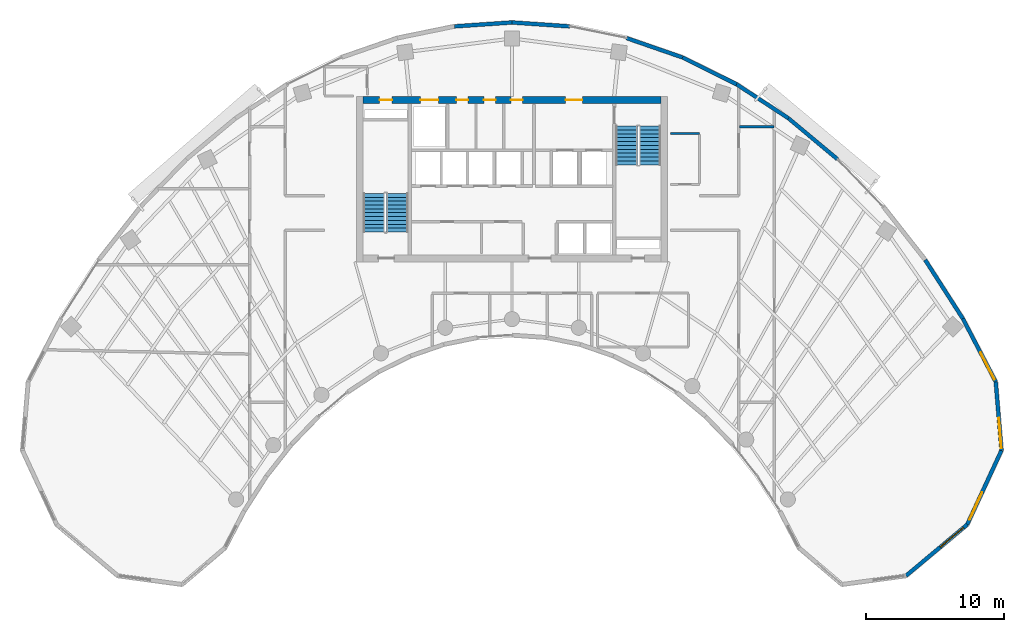
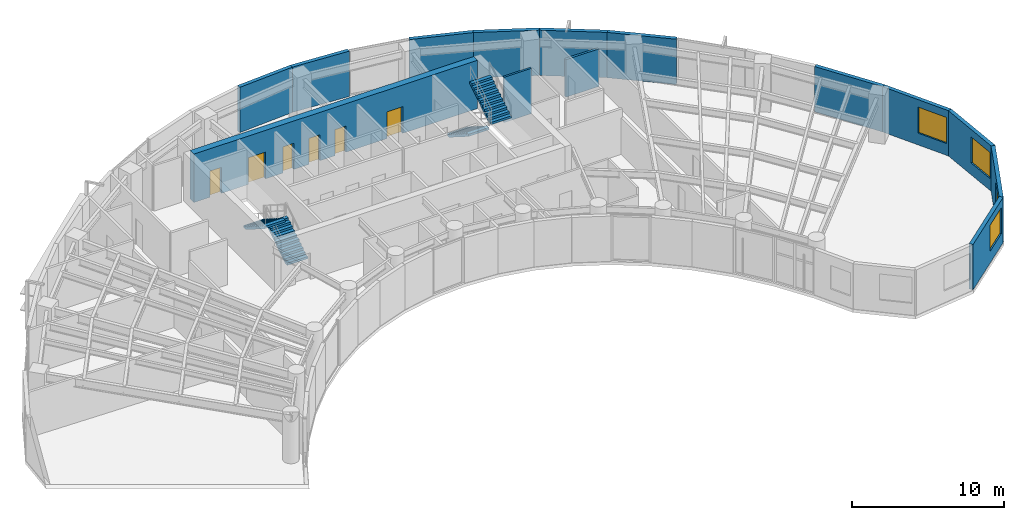
# One storey, part 10 of 13: 14 walls, 6 doors, 4 stair flights, 4 windows, 10 openings, 2 elements without a shape of their own.
"""IFC4 building model written with IfcOpenShell, lengths in metres."""

import ifcopenshell
import ifcopenshell.guid

model = None  # the IFC model being written
_history = None  # IfcOwnerHistory: only IFC2X3 demands one
_inside = {}  # id of a spatial element -> (the spatial element, [elements in it])
_under = {}  # id of a project, library or spatial element -> (it, [spatial elements below it])
_declared = {}  # id of a project -> (the project, [libraries it declares])
_typed = {}  # id of a type object -> (the type object, [elements of that type])
_made_of = {}  # id of a material, layer set ... -> (it, [elements and type objects made of it])


def new_model(schema):
    """Start an empty IFC model of exactly this schema.

    Asked for "IFC4X3", IfcOpenShell would pick the latest addendum, in which some entities
    have other attributes; the version numbers below select the first issue.
    IFC2X3 requires an IfcOwnerHistory on every rooted entity: one is made here for all.
    """
    global model, _history
    if schema == "IFC4X3":
        model = ifcopenshell.file(schema_version=(4, 3, 0, 0))
    else:
        model = ifcopenshell.file(schema=schema)
    _inside.clear()
    _under.clear()
    _declared.clear()
    _typed.clear()
    _made_of.clear()
    _history = None
    if model.schema == "IFC2X3":
        org = make("IfcOrganization", Name="unknown")
        user = make(
            "IfcPersonAndOrganization",
            ThePerson=make("IfcPerson", FamilyName="unknown"),
            TheOrganization=org,
        )
        app = make(
            "IfcApplication",
            ApplicationDeveloper=org,
            Version="unknown",
            ApplicationFullName="unknown",
            ApplicationIdentifier="unknown",
        )
        _history = make(
            "IfcOwnerHistory",
            OwningUser=user,
            OwningApplication=app,
            ChangeAction="ADDED",
            CreationDate=0,
        )
    return model


def make(cls, **values):
    """One entity of the class cls with the attributes given. An attribute that is None is left unset."""
    return model.create_entity(
        cls, **{name: value for name, value in values.items() if value is not None}
    )


def rooted(cls, **values):
    """An entity with a GlobalId (a new one), such as an element, a storey or a relation."""
    return make(cls, GlobalId=ifcopenshell.guid.new(), OwnerHistory=_history, **values)


def si_unit(unit_type, name, prefix=None):
    """IfcSIUnit, for example si_unit("LENGTHUNIT", "METRE", prefix="MILLI")."""
    return make("IfcSIUnit", UnitType=unit_type, Prefix=prefix, Name=name)


def assignment(units):
    """IfcUnitAssignment: the units of a project."""
    return None if units is None else make("IfcUnitAssignment", Units=units)


def point(xyz):
    """IfcCartesianPoint."""
    return None if xyz is None else make("IfcCartesianPoint", Coordinates=xyz)


def direction(xyz):
    """IfcDirection."""
    return None if xyz is None else make("IfcDirection", DirectionRatios=xyz)


def frame(location, z_axis=None, x_axis=None):
    """IfcAxis2Placement3D, a coordinate frame: its origin and axes. An axis left out is left unset."""
    return make(
        "IfcAxis2Placement3D",
        Location=point(location),
        Axis=direction(z_axis),
        RefDirection=direction(x_axis),
    )


def frame_2d(location, x_axis=None):
    """IfcAxis2Placement2D, a coordinate frame in the plane: its origin and x axis."""
    return make(
        "IfcAxis2Placement2D", Location=point(location), RefDirection=direction(x_axis)
    )


def origin():
    """The frame at (0, 0, 0) with its axes left unset."""
    return frame((0.0, 0.0, 0.0))


def place(relative_to, where):
    """IfcLocalPlacement: puts the frame where relative to a parent placement (None: the world)."""
    return make(
        "IfcLocalPlacement", PlacementRelTo=relative_to, RelativePlacement=where
    )


def context(
    kind, dimensions, precision=None, world=None, true_north=None, identifier=None
):
    """IfcGeometricRepresentationContext, for example the 3D "Model" context."""
    return make(
        "IfcGeometricRepresentationContext",
        ContextIdentifier=identifier,
        ContextType=kind,
        CoordinateSpaceDimension=dimensions,
        Precision=precision,
        WorldCoordinateSystem=world,
        TrueNorth=true_north,
    )


def subcontext(parent, identifier, kind, view, scale=None):
    """IfcGeometricRepresentationSubContext, for example "Body" below "Model"."""
    return make(
        "IfcGeometricRepresentationSubContext",
        ContextIdentifier=identifier,
        ContextType=kind,
        ParentContext=parent,
        TargetScale=scale,
        TargetView=view,
    )


def project(units=None, contexts=None):
    """IfcProject with its units and contexts."""
    return rooted(
        "IfcProject",
        Name="project",
        RepresentationContexts=contexts,
        UnitsInContext=assignment(units),
    )


def spatial(cls, under=None, at=None, **own):
    """A site, building, storey or space (cls), placed at a placement, below another one or the project."""
    s = rooted(cls, ObjectPlacement=at, **own)
    if under is not None:
        _under.setdefault(under.id(), (under, []))[1].append(s)
    return s


def polyline(points):
    """IfcPolyline through the points."""
    return make("IfcPolyline", Points=[point(p) for p in points])


def profile(cls, at=None, kind="AREA", **sizes):
    """A parametric profile (cls). Its sizes go by their IFC names, for example OverallWidth=200.0."""
    return make(cls, ProfileType=kind, Position=at, **sizes)


def rectangle(**sizes):
    """IfcRectangleProfileDef."""
    return profile("IfcRectangleProfileDef", **sizes)


def outline(outer, holes=None, kind="AREA"):
    """IfcArbitraryClosedProfileDef: a profile drawn as a closed curve; with holes, ...WithVoids."""
    if holes is None:
        return make("IfcArbitraryClosedProfileDef", ProfileType=kind, OuterCurve=outer)
    return make(
        "IfcArbitraryProfileDefWithVoids",
        ProfileType=kind,
        OuterCurve=outer,
        InnerCurves=holes,
    )


def extrude(swept, where, along, depth):
    """IfcExtrudedAreaSolid: the profile swept, set in the frame where, extruded along a direction by depth."""
    return make(
        "IfcExtrudedAreaSolid",
        SweptArea=swept,
        Position=where,
        ExtrudedDirection=direction(along),
        Depth=depth,
    )


def shape(context_of_items, identifier, shape_type, items):
    """IfcShapeRepresentation: the items that make up one representation, for example the "Body"."""
    return make(
        "IfcShapeRepresentation",
        ContextOfItems=context_of_items,
        RepresentationIdentifier=identifier,
        RepresentationType=shape_type,
        Items=items,
    )


def source(mapping_origin, context_of_items, identifier, shape_type, items):
    """IfcRepresentationMap: a shape defined once, which mapped items show again and again."""
    return make(
        "IfcRepresentationMap",
        MappingOrigin=mapping_origin,
        MappedRepresentation=shape(context_of_items, identifier, shape_type, items),
    )


def transform(
    local_origin,
    x_axis=None,
    y_axis=None,
    z_axis=None,
    scale=None,
    scale2=None,
    scale3=None,
    uniform=True,
):
    """IfcCartesianTransformationOperator3D, or its non-uniform kind. x_axis, y_axis, z_axis: its Axis1, 2, 3."""
    if uniform:
        return make(
            "IfcCartesianTransformationOperator3D",
            Axis1=direction(x_axis),
            Axis2=direction(y_axis),
            LocalOrigin=point(local_origin),
            Scale=scale,
            Axis3=direction(z_axis),
        )
    return make(
        "IfcCartesianTransformationOperator3DnonUniform",
        Axis1=direction(x_axis),
        Axis2=direction(y_axis),
        LocalOrigin=point(local_origin),
        Scale=scale,
        Axis3=direction(z_axis),
        Scale2=scale2,
        Scale3=scale3,
    )


def mapped(mapping_source, mapping_target):
    """IfcMappedItem: shows the shape of a source again, moved by a transform."""
    return make(
        "IfcMappedItem", MappingSource=mapping_source, MappingTarget=mapping_target
    )


def material(Name=None, Category=None):
    """IfcMaterial."""
    return make("IfcMaterial", Name=Name, Category=Category)


def layer(
    of_material, thickness, ventilated=None, Name=None, Category=None, Priority=None
):
    """IfcMaterialLayer: one layer of a wall or slab, of a material (None: an air gap)."""
    return make(
        "IfcMaterialLayer",
        Material=of_material,
        LayerThickness=thickness,
        IsVentilated=ventilated,
        Name=Name,
        Category=Category,
        Priority=Priority,
    )


def layer_set(layers, Name=None):
    """IfcMaterialLayerSet."""
    return make("IfcMaterialLayerSet", MaterialLayers=layers, LayerSetName=Name)


def made_of(thing, what):
    """Note that an element or type object is made of a material, layer set ...; save() writes the relation."""
    if what is not None:
        _made_of.setdefault(what.id(), (what, []))[1].append(thing)
    return thing


def type_object(cls, material=None, **own):
    """A type object (cls), such as IfcWallType, which elements share."""
    return made_of(rooted(cls, **own), material)


def type_shapes(of_type, sources):
    """Give a type object the sources (RepresentationMaps) that its elements show as mapped items."""
    of_type.RepresentationMaps = sources


def element(
    cls,
    number,
    at=None,
    inside=None,
    cuts=None,
    type_object=None,
    material=None,
    context=None,
    identifier="Body",
    shape_type=None,
    held_by="IfcProductDefinitionShape",
    body=None,
    shapes=None,
    **own,
):
    """One element of the class cls, such as IfcWall. Its Tag is "e" and its number.

    at: its placement. inside: the storey or other place that contains it. cuts: it is an
    opening in that element (IfcRelVoidsElement). A single representation is given by context,
    identifier, shape_type and body (its items); several are given by shapes. held_by: the class
    of the entity that holds the representations. save() writes the other relations.
    """
    e = rooted(cls, Tag="e%d" % number, ObjectPlacement=at, **own)
    if body is not None:
        shapes = [shape(context, identifier, shape_type, body)]
    if shapes is not None:
        e.Representation = make(held_by, Representations=shapes)
    if inside is not None:
        _inside.setdefault(inside.id(), (inside, []))[1].append(e)
    if cuts is not None:
        rooted(
            "IfcRelVoidsElement", RelatingBuildingElement=cuts, RelatedOpeningElement=e
        )
    if type_object is not None:
        _typed.setdefault(type_object.id(), (type_object, []))[1].append(e)
    return made_of(e, material)


def fill(opening, filler):
    """IfcRelFillsElement: the door or window that sits in an opening."""
    return rooted(
        "IfcRelFillsElement",
        RelatingOpeningElement=opening,
        RelatedBuildingElement=filler,
    )


def aggregate(whole, parts):
    """IfcRelAggregates: a whole, such as a stair, and the parts it consists of."""
    return rooted("IfcRelAggregates", RelatingObject=whole, RelatedObjects=parts)


def save(model, path):
    """Write the relations noted so far, then the file.

    IfcRelAggregates (storeys below a building ...), IfcRelContainedInSpatialStructure (elements
    in a storey), IfcRelDefinesByType, IfcRelAssociatesMaterial and IfcRelDeclares: one each for
    every whole, place, type object, material and project.
    """
    for whole, parts in _under.values():
        aggregate(whole, parts)
    for where, things in _inside.values():
        rooted(
            "IfcRelContainedInSpatialStructure",
            RelatedElements=things,
            RelatingStructure=where,
        )
    for kind, things in _typed.values():
        rooted("IfcRelDefinesByType", RelatedObjects=things, RelatingType=kind)
    for what, things in _made_of.values():
        rooted("IfcRelAssociatesMaterial", RelatedObjects=things, RelatingMaterial=what)
    for by, libraries in _declared.values():
        rooted("IfcRelDeclares", RelatingContext=by, RelatedDefinitions=libraries)
    model.write(path)


model = new_model("IFC4")

# Units and contexts
model_context = context("Model", 3, precision=1e-05, world=origin(), true_north=direction((0.0, 1.0)))
body_context = subcontext(model_context, "Body", "Model", "MODEL_VIEW")
ifc_project = project(units=[si_unit("LENGTHUNIT", "METRE"), si_unit("AREAUNIT", "SQUARE_METRE"), si_unit("VOLUMEUNIT", "CUBIC_METRE"), si_unit("PLANEANGLEUNIT", "RADIAN"), si_unit("MASSUNIT", "GRAM", prefix="KILO")], contexts=[model_context])

# Site, building, storey
site_placement = place(None, origin())
site = spatial("IfcSite", under=ifc_project, at=site_placement, CompositionType="ELEMENT")
building_placement = place(site_placement, origin())
building = spatial("IfcBuilding", under=site, at=building_placement, Name="Breltana Convention Tower", CompositionType="ELEMENT")
storey_placement = place(building_placement, frame((0.0, 0.0, 174.0)))
storey = spatial("IfcBuildingStorey", under=building, at=storey_placement, Name="L42", CompositionType="ELEMENT", Elevation=174.0)

# Wall, openings, doors
ifc_material_1 = material(Name="Concrete C60/75", Category="concrete")
ifc_layer_1 = layer(ifc_material_1, 0.5, Name="Concrete C60/75")
ifc_layer_set_1 = layer_set([ifc_layer_1], Name="Concrete C60/75")
wall_type_1 = type_object("IfcWallType", Name="SW-CORE-500", PredefinedType="SHEAR", material=ifc_layer_set_1)
shared_shape_1 = source(origin(), body_context, "Body", "SweptSolid", [
    extrude(rectangle(XDim=21.60009765625, YDim=0.5, at=frame_2d((10.800048828125, 0.0))), origin(), (0.0, 0.0, 1.0), 3.89990234375),
])
wall_1_placement = place(storey_placement, frame((37.199951171875, 71.949951171875, 0.0), z_axis=(0.0, 0.0, 1.0), x_axis=(1.0, 0.0, 0.0)))
wall_1 = element("IfcWall", 1, at=wall_1_placement, inside=storey, type_object=wall_type_1, Name="L42 North Core Shear Wall", PredefinedType="SHEAR", context=body_context, shape_type="MappedRepresentation", body=[
    mapped(shared_shape_1, transform((0.0, 0.0, 0.0), scale=1.0)),
])
opening_1_placement = place(wall_1_placement, frame((1.199951171875, 0.0, 0.0)))
opening_1 = element("IfcOpeningElement", 2, at=opening_1_placement, cuts=wall_1, Name="Opening D-18", PredefinedType="OPENING", context=body_context, shape_type="SweptSolid", body=[
    extrude(rectangle(XDim=0.89990234375, YDim=2.10009765625, at=frame_2d((0.449951171875, 1.050048828125))), frame((0.0, 0.260009765625, 0.0), z_axis=(0.0, -1.0, 0.0), x_axis=(1.0, 0.0, 0.0)), (0.0, 0.0, 1.0), 0.52001953125),
])
opening_2_placement = place(wall_1_placement, frame((14.699951171875, 0.0, 0.0)))
opening_2 = element("IfcOpeningElement", 3, at=opening_2_placement, cuts=wall_1, Name="Opening D-09", PredefinedType="OPENING", context=body_context, shape_type="SweptSolid", body=[
    extrude(rectangle(XDim=1.199951171875, YDim=2.14990234375, at=frame_2d((0.60009765625, 1.074951171875))), frame((0.0, 0.260009765625, 0.0), z_axis=(0.0, -1.0, 0.0), x_axis=(1.0, 0.0, 0.0)), (0.0, 0.0, 1.0), 0.52001953125),
])
opening_3_placement = place(wall_1_placement, frame((4.14990234375, 0.0, 0.0)))
opening_3 = element("IfcOpeningElement", 4, at=opening_3_placement, cuts=wall_1, Name="Opening LD-01", PredefinedType="OPENING", context=body_context, shape_type="SweptSolid", body=[
    extrude(rectangle(XDim=1.300048828125, YDim=2.14990234375, at=frame_2d((0.64990234375, 1.074951171875))), frame((0.0, 0.260009765625, 0.0), z_axis=(0.0, -1.0, 0.0), x_axis=(1.0, 0.0, 0.0)), (0.0, 0.0, 1.0), 0.52001953125),
])
opening_4_placement = place(wall_1_placement, frame((6.760009765625, 0.0, 0.0)))
opening_4 = element("IfcOpeningElement", 5, at=opening_4_placement, cuts=wall_1, Name="Opening D-20", PredefinedType="OPENING", context=body_context, shape_type="SweptSolid", body=[
    extrude(rectangle(XDim=0.85009765625, YDim=2.10009765625, at=frame_2d((0.425048828125, 1.050048828125))), frame((0.0, 0.260009765625, 0.0), z_axis=(0.0, -1.0, 0.0), x_axis=(1.0, 0.0, 0.0)), (0.0, 0.0, 1.0), 0.52001953125),
])
opening_5_placement = place(wall_1_placement, frame((8.760009765625, 0.0, 0.0)))
opening_5 = element("IfcOpeningElement", 6, at=opening_5_placement, cuts=wall_1, Name="Opening D-20", PredefinedType="OPENING", context=body_context, shape_type="SweptSolid", body=[
    extrude(rectangle(XDim=0.85009765625, YDim=2.10009765625, at=frame_2d((0.425048828125, 1.050048828125))), frame((0.0, 0.260009765625, 0.0), z_axis=(0.0, -1.0, 0.0), x_axis=(1.0, 0.0, 0.0)), (0.0, 0.0, 1.0), 0.52001953125),
])
opening_6_placement = place(wall_1_placement, frame((10.72509765625, 0.0, 0.0)))
opening_6 = element("IfcOpeningElement", 7, at=opening_6_placement, cuts=wall_1, Name="Opening D-20", PredefinedType="OPENING", context=body_context, shape_type="SweptSolid", body=[
    extrude(rectangle(XDim=0.85009765625, YDim=2.10009765625, at=frame_2d((0.425048828125, 1.050048828125))), frame((0.0, 0.260009765625, 0.0), z_axis=(0.0, -1.0, 0.0), x_axis=(1.0, 0.0, 0.0)), (0.0, 0.0, 1.0), 0.52001953125),
])
ifc_material_2 = material(Name="Steel Riser Fire Door", Category="steel")
door_type_1 = type_object("IfcDoorType", Name="DR-FD60-900", OperationType="NOTDEFINED", PredefinedType="DOOR", material=ifc_material_2)
shared_shape_2 = source(origin(), body_context, "Body", "SweptSolid", [
    extrude(rectangle(XDim=0.89990234375, YDim=2.10009765625, at=frame_2d((0.449951171875, 1.050048828125))), frame((0.0, 0.02490234375, 0.0), z_axis=(0.0, -1.0, 0.0), x_axis=(1.0, 0.0, 0.0)), (0.0, 0.0, 1.0), 0.050048828125),
])
type_shapes(door_type_1, [shared_shape_2])
door_1_placement = place(opening_1_placement, origin())
door_1 = element("IfcDoor", 8, at=door_1_placement, inside=storey, type_object=door_type_1, Name="L42 Core Riser Access Door D-L42-RS1", OperationType="SINGLE_SWING_LEFT", OverallHeight=2.10009765625, OverallWidth=0.89990234375, PredefinedType="DOOR", context=body_context, shape_type="MappedRepresentation", body=[
    mapped(shared_shape_2, transform((0.0, 0.0, 0.0), scale=1.0)),
])
fill(opening_1, door_1)
ifc_material_3 = material(Name="Steel Fire Lobby Door", Category="steel")
door_type_2 = type_object("IfcDoorType", Name="DR-FD120-1200", OperationType="NOTDEFINED", PredefinedType="DOOR", material=ifc_material_3)
shared_shape_3 = source(origin(), body_context, "Body", "SweptSolid", [
    extrude(rectangle(XDim=1.199951171875, YDim=2.14990234375, at=frame_2d((0.60009765625, 1.074951171875))), frame((0.0, 0.02490234375, 0.0), z_axis=(0.0, -1.0, 0.0), x_axis=(1.0, 0.0, 0.0)), (0.0, 0.0, 1.0), 0.050048828125),
])
type_shapes(door_type_2, [shared_shape_3])
door_2_placement = place(opening_2_placement, origin())
door_2 = element("IfcDoor", 9, at=door_2_placement, inside=storey, type_object=door_type_2, Name="L42 interior door D-L42-FFL-N", OperationType="SINGLE_SWING_RIGHT", OverallHeight=2.14990234375, OverallWidth=1.199951171875, PredefinedType="DOOR", context=body_context, shape_type="MappedRepresentation", body=[
    mapped(shared_shape_3, transform((0.0, 0.0, 0.0), scale=1.0)),
])
fill(opening_2, door_2)
ifc_material_4 = material(Name="Stainless Steel Brushed", Category="steel")
door_type_3 = type_object("IfcDoorType", Name="DR-LD-SRV-1300", OperationType="DOUBLE_DOOR_SLIDING", PredefinedType="DOOR", material=ifc_material_4)
shared_shape_4 = source(origin(), body_context, "Body", "SweptSolid", [
    extrude(rectangle(XDim=1.300048828125, YDim=2.14990234375, at=frame_2d((0.64990234375, 1.074951171875))), frame((0.0, 0.02490234375, 0.0), z_axis=(0.0, -1.0, 0.0), x_axis=(1.0, 0.0, 0.0)), (0.0, 0.0, 1.0), 0.050048828125),
])
type_shapes(door_type_3, [shared_shape_4])
door_3_placement = place(opening_3_placement, origin())
door_3 = element("IfcDoor", 10, at=door_3_placement, inside=storey, type_object=door_type_3, Name="L42 Lift Landing Door D-L42-LD-SV1", OperationType="DOUBLE_DOOR_SLIDING", OverallHeight=2.14990234375, OverallWidth=1.300048828125, PredefinedType="DOOR", context=body_context, shape_type="MappedRepresentation", body=[
    mapped(shared_shape_4, transform((0.0, 0.0, 0.0), scale=1.0)),
])
fill(opening_3, door_3)
ifc_material_5 = material(Name="Steel Closet Fire Door", Category="steel")
door_type_4 = type_object("IfcDoorType", Name="DR-FD60-850", OperationType="NOTDEFINED", PredefinedType="DOOR", material=ifc_material_5)
shared_shape_5 = source(origin(), body_context, "Body", "SweptSolid", [
    extrude(rectangle(XDim=0.85009765625, YDim=2.10009765625, at=frame_2d((0.425048828125, 1.050048828125))), frame((0.0, 0.02490234375, 0.0), z_axis=(0.0, -1.0, 0.0), x_axis=(1.0, 0.0, 0.0)), (0.0, 0.0, 1.0), 0.050048828125),
])
type_shapes(door_type_4, [shared_shape_5])
door_4_placement = place(opening_4_placement, origin())
door_4 = element("IfcDoor", 11, at=door_4_placement, inside=storey, type_object=door_type_4, Name="L42 interior door D-L42-CRA1", OperationType="SINGLE_SWING_RIGHT", OverallHeight=2.10009765625, OverallWidth=0.85009765625, PredefinedType="DOOR", context=body_context, shape_type="MappedRepresentation", body=[
    mapped(shared_shape_5, transform((0.0, 0.0, 0.0), scale=1.0)),
])
fill(opening_4, door_4)
door_5_placement = place(opening_5_placement, origin())
door_5 = element("IfcDoor", 12, at=door_5_placement, inside=storey, type_object=door_type_4, Name="L42 interior door D-L42-CRA2", OperationType="SINGLE_SWING_LEFT", OverallHeight=2.10009765625, OverallWidth=0.85009765625, PredefinedType="DOOR", context=body_context, shape_type="MappedRepresentation", body=[
    mapped(shared_shape_5, transform((0.0, 0.0, 0.0), scale=1.0)),
])
fill(opening_5, door_5)
door_6_placement = place(opening_6_placement, origin())
door_6 = element("IfcDoor", 13, at=door_6_placement, inside=storey, type_object=door_type_4, Name="L42 interior door D-L42-CRA3", OperationType="SINGLE_SWING_RIGHT", OverallHeight=2.10009765625, OverallWidth=0.85009765625, PredefinedType="DOOR", context=body_context, shape_type="MappedRepresentation", body=[
    mapped(shared_shape_5, transform((0.0, 0.0, 0.0), scale=1.0)),
])
fill(opening_6, door_6)

# Wall, opening, window
ifc_material_6 = material(Name="Limestone Buff Insulated Wall", Category="masonry")
ifc_layer_2 = layer(ifc_material_6, 0.280029296875, Name="Limestone Buff Insulated Wall")
ifc_layer_set_2 = layer_set([ifc_layer_2], Name="Limestone Buff Insulated Wall")
wall_type_2 = type_object("IfcWallType", Name="WL-EXT-NOSE-280", PredefinedType="SOLIDWALL", material=ifc_layer_set_2)
shared_shape_6 = source(origin(), body_context, "Body", "SweptSolid", [
    extrude(rectangle(XDim=4.994384765625, YDim=0.280029296875, at=frame_2d((2.4970703125, 0.0))), origin(), (0.0, 0.0, 1.0), 3.64990234375),
])
wall_2_placement = place(storey_placement, frame((83.102294921875, 51.48876953125, 0.0), z_axis=(0.0, 0.0, 1.0), x_axis=(0.083344839916, -0.996520766296, 0.0)))
wall_2 = element("IfcWall", 14, at=wall_2_placement, inside=storey, type_object=wall_type_2, Name="L42 curved limestone nose wall E1", PredefinedType="SOLIDWALL", context=body_context, shape_type="MappedRepresentation", body=[
    mapped(shared_shape_6, transform((0.0, 0.0, 0.0), scale=1.0)),
])
opening_7_placement = place(wall_2_placement, frame((2.634521484375, 0.0, 0.949951171875)))
opening_7 = element("IfcOpeningElement", 15, at=opening_7_placement, cuts=wall_2, Name="Opening W-03", PredefinedType="OPENING", context=body_context, shape_type="SweptSolid", body=[
    extrude(rectangle(XDim=2.199951171875, YDim=2.10009765625, at=frame_2d((1.10009765625, 1.050048828125))), frame((0.0, 0.14990234375, 0.0), z_axis=(0.0, -1.0, 0.0), x_axis=(1.0, 0.0, 0.0)), (0.0, 0.0, 1.0), 0.300048828125),
])
ifc_material_7 = material(Name="Glass Low-E Insulated Window", Category="glass")
window_type = type_object("IfcWindowType", Name="WN-NOSE-2200X2100", PartitioningType="TRIPLE_PANEL_VERTICAL", PredefinedType="WINDOW", material=ifc_material_7)
shared_shape_7 = source(origin(), body_context, "Body", "SweptSolid", [
    extrude(rectangle(XDim=2.199951171875, YDim=2.10009765625, at=frame_2d((1.10009765625, 1.050048828125))), frame((0.0, 0.030029296875, 0.0), z_axis=(0.0, -1.0, 0.0), x_axis=(1.0, 0.0, 0.0)), (0.0, 0.0, 1.0), 0.06005859375),
])
type_shapes(window_type, [shared_shape_7])
window_1_placement = place(opening_7_placement, origin())
window_1 = element("IfcWindow", 16, at=window_1_placement, inside=storey, type_object=window_type, Name="L42 nose window E1", OverallHeight=2.10009765625, OverallWidth=2.199951171875, PartitioningType="TRIPLE_PANEL_VERTICAL", PredefinedType="WINDOW", context=body_context, shape_type="MappedRepresentation", body=[
    mapped(shared_shape_7, transform((0.0, 0.0, 0.0), scale=1.0)),
])
fill(opening_7, window_1)

shared_shape_8 = source(origin(), body_context, "Body", "SweptSolid", [
    extrude(rectangle(XDim=5.927490234375, YDim=0.280029296875, at=frame_2d((2.9638671875, 0.0))), origin(), (0.0, 0.0, 1.0), 3.64990234375),
])
wall_3_placement = place(storey_placement, frame((83.5185546875, 46.51171875, 0.0), z_axis=(0.0, 0.0, 1.0), x_axis=(-0.419656204795, -0.907683132914, 0.0)))
wall_3 = element("IfcWall", 17, at=wall_3_placement, inside=storey, type_object=wall_type_2, Name="L42 curved limestone nose wall E2", PredefinedType="SOLIDWALL", context=body_context, shape_type="MappedRepresentation", body=[
    mapped(shared_shape_8, transform((0.0, 0.0, 0.0), scale=1.0)),
])
opening_8_placement = place(wall_3_placement, frame((3.345703125, 0.0, 0.949951171875)))
opening_8 = element("IfcOpeningElement", 18, at=opening_8_placement, cuts=wall_3, Name="Opening W-03", PredefinedType="OPENING", context=body_context, shape_type="SweptSolid", body=[
    extrude(rectangle(XDim=2.199951171875, YDim=2.10009765625, at=frame_2d((1.10009765625, 1.050048828125))), frame((0.0, 0.14990234375, 0.0), z_axis=(0.0, -1.0, 0.0), x_axis=(1.0, 0.0, 0.0)), (0.0, 0.0, 1.0), 0.300048828125),
])
window_2_placement = place(opening_8_placement, origin())
window_2 = element("IfcWindow", 19, at=window_2_placement, inside=storey, type_object=window_type, Name="L42 nose window E2", OverallHeight=2.10009765625, OverallWidth=2.199951171875, PartitioningType="TRIPLE_PANEL_VERTICAL", PredefinedType="WINDOW", context=body_context, shape_type="MappedRepresentation", body=[
    mapped(shared_shape_7, transform((0.0, 0.0, 0.0), scale=1.0)),
])
fill(opening_8, window_2)

shared_shape_9 = source(origin(), body_context, "Body", "SweptSolid", [
    extrude(rectangle(XDim=5.786376953125, YDim=0.280029296875, at=frame_2d((2.89306640625, 0.0))), origin(), (0.0, 0.0, 1.0), 3.64990234375),
])
wall_4_placement = place(storey_placement, frame((81.031005859375, 41.13134765625, 0.0), z_axis=(0.0, 0.0, 1.0), x_axis=(-0.766711306852, -0.641992034176, 0.0)))
wall_4 = element("IfcWall", 20, at=wall_4_placement, inside=storey, type_object=wall_type_2, Name="L42 curved limestone nose wall E3", PredefinedType="SOLIDWALL", context=body_context, shape_type="MappedRepresentation", body=[
    mapped(shared_shape_9, transform((0.0, 0.0, 0.0), scale=1.0)),
])
opening_9_placement = place(wall_4_placement, frame((0.3466796875, 0.0, 0.949951171875)))
opening_9 = element("IfcOpeningElement", 21, at=opening_9_placement, cuts=wall_4, Name="Opening W-03", PredefinedType="OPENING", context=body_context, shape_type="SweptSolid", body=[
    extrude(rectangle(XDim=2.199951171875, YDim=2.10009765625, at=frame_2d((1.10009765625, 1.050048828125))), frame((0.0, 0.14990234375, 0.0), z_axis=(0.0, -1.0, 0.0), x_axis=(1.0, 0.0, 0.0)), (0.0, 0.0, 1.0), 0.300048828125),
])
window_3_placement = place(opening_9_placement, origin())
window_3 = element("IfcWindow", 22, at=window_3_placement, inside=storey, type_object=window_type, Name="L42 nose window E3", OverallHeight=2.10009765625, OverallWidth=2.199951171875, PartitioningType="TRIPLE_PANEL_VERTICAL", PredefinedType="WINDOW", context=body_context, shape_type="MappedRepresentation", body=[
    mapped(shared_shape_7, transform((0.0, 0.0, 0.0), scale=1.0)),
])
fill(opening_9, window_3)

shared_shape_10 = source(origin(), body_context, "Body", "SweptSolid", [
    extrude(rectangle(XDim=5.1708984375, YDim=0.280029296875, at=frame_2d((2.58544921875, 0.0))), origin(), (0.0, 0.0, 1.0), 3.64990234375),
])
wall_5_placement = place(storey_placement, frame((80.714599609375, 56.075439453125, 0.0), z_axis=(0.0, 0.0, 1.0), x_axis=(0.461752581363, -0.887008767491, 0.0)))
wall_5 = element("IfcWall", 23, at=wall_5_placement, inside=storey, type_object=wall_type_2, Name="L42 curved limestone nose wall E34", PredefinedType="SOLIDWALL", context=body_context, shape_type="MappedRepresentation", body=[
    mapped(shared_shape_10, transform((0.0, 0.0, 0.0), scale=1.0)),
])
opening_10_placement = place(wall_5_placement, frame((2.7783203125, 0.0, 0.949951171875)))
opening_10 = element("IfcOpeningElement", 24, at=opening_10_placement, cuts=wall_5, Name="Opening W-03", PredefinedType="OPENING", context=body_context, shape_type="SweptSolid", body=[
    extrude(rectangle(XDim=2.199951171875, YDim=2.10009765625, at=frame_2d((1.10009765625, 1.050048828125))), frame((0.0, 0.14990234375, 0.0), z_axis=(0.0, -1.0, 0.0), x_axis=(1.0, 0.0, 0.0)), (0.0, 0.0, 1.0), 0.300048828125),
])
window_4_placement = place(opening_10_placement, origin())
window_4 = element("IfcWindow", 25, at=window_4_placement, inside=storey, type_object=window_type, Name="L42 nose window E34", OverallHeight=2.10009765625, OverallWidth=2.199951171875, PartitioningType="TRIPLE_PANEL_VERTICAL", PredefinedType="WINDOW", context=body_context, shape_type="MappedRepresentation", body=[
    mapped(shared_shape_7, transform((0.0, 0.0, 0.0), scale=1.0)),
])
fill(opening_10, window_4)

# Walls
shared_shape_11 = source(origin(), body_context, "Body", "SweptSolid", [
    extrude(rectangle(XDim=4.633544921875, YDim=0.280029296875, at=frame_2d((2.31689453125, 0.0))), origin(), (0.0, 0.0, 1.0), 3.64990234375),
])
wall_6_placement = place(storey_placement, frame((68.060791015625, 70.610107421875, 0.0), z_axis=(0.0, 0.0, 1.0), x_axis=(0.767910229096, -0.640557475993, 0.0)))
element("IfcWall", 26, at=wall_6_placement, inside=storey, type_object=wall_type_2, Name="L42 curved limestone nose wall E31", PredefinedType="SOLIDWALL", context=body_context, shape_type="MappedRepresentation", body=[
    mapped(shared_shape_11, transform((0.0, 0.0, 0.0), scale=1.0)),
])
shared_shape_12 = source(origin(), body_context, "Body", "SweptSolid", [
    extrude(rectangle(XDim=4.500732421875, YDim=0.280029296875, at=frame_2d((2.25048828125, 0.0))), origin(), (0.0, 0.0, 1.0), 3.64990234375),
])
wall_7_placement = place(storey_placement, frame((64.29833984375, 73.079833984375, 0.0), z_axis=(0.0, 0.0, 1.0), x_axis=(0.835984920737, -0.548752414391, 0.0)))
element("IfcWall", 27, at=wall_7_placement, inside=storey, type_object=wall_type_2, Name="L42 curved limestone nose wall E30", PredefinedType="SOLIDWALL", context=body_context, shape_type="MappedRepresentation", body=[
    mapped(shared_shape_12, transform((0.0, 0.0, 0.0), scale=1.0)),
])
shared_shape_13 = source(origin(), body_context, "Body", "SweptSolid", [
    extrude(rectangle(XDim=4.289794921875, YDim=0.280029296875, at=frame_2d((2.14501953125, 0.0))), origin(), (0.0, 0.0, 1.0), 3.64990234375),
])
wall_8_placement = place(storey_placement, frame((56.31689453125, 76.431396484375, 0.0), z_axis=(0.0, 0.0, 1.0), x_axis=(0.944883859218, -0.3274057003, 0.0)))
element("IfcWall", 28, at=wall_8_placement, inside=storey, type_object=wall_type_2, Name="L42 curved limestone nose wall E28", PredefinedType="SOLIDWALL", context=body_context, shape_type="MappedRepresentation", body=[
    mapped(shared_shape_13, transform((0.0, 0.0, 0.0), scale=1.0)),
])
shared_shape_14 = source(origin(), body_context, "Body", "SweptSolid", [
    extrude(rectangle(XDim=4.189208984375, YDim=0.280029296875, at=frame_2d((2.0947265625, 0.0))), origin(), (0.0, 0.0, 1.0), 3.64990234375),
])
for number, where, z_axis, x_axis, name in (
    (29, (43.8203125, 77.27978515625, 0.0), (0.0, 0.0, 1.0), (0.997700560699, 0.067776036921, 0.0), "L42 curved limestone nose wall E26"),
    (30, (48.0, 77.563720703125, 0.0), (0.0, 0.0, 1.0), (0.997700560699, -0.067776036921, 0.0), "L42 curved limestone nose wall E27"),
):
    element("IfcWall", number, at=place(storey_placement, frame(where, z_axis=z_axis, x_axis=x_axis)), inside=storey, type_object=wall_type_2, Name=name, PredefinedType="SOLIDWALL", context=body_context, shape_type="MappedRepresentation", body=[
        mapped(shared_shape_14, transform((0.0, 0.0, 0.0), scale=1.0)),
    ])
shared_shape_15 = source(origin(), body_context, "Body", "SweptSolid", [
    extrude(rectangle(XDim=4.384033203125, YDim=0.280029296875, at=frame_2d((2.19189453125, 0.0))), origin(), (0.0, 0.0, 1.0), 3.64990234375),
])
wall_9_placement = place(storey_placement, frame((60.370361328125, 75.02685546875, 0.0), z_axis=(0.0, 0.0, 1.0), x_axis=(0.895969968053, -0.444114643248, 0.0)))
element("IfcWall", 31, at=wall_9_placement, inside=storey, type_object=wall_type_2, Name="L42 curved limestone nose wall E29", PredefinedType="SOLIDWALL", context=body_context, shape_type="MappedRepresentation", body=[
    mapped(shared_shape_15, transform((0.0, 0.0, 0.0), scale=1.0)),
])
shared_shape_16 = source(origin(), body_context, "Body", "SweptSolid", [
    extrude(rectangle(XDim=5.064697265625, YDim=0.280029296875, at=frame_2d((2.5322265625, 0.0))), origin(), (0.0, 0.0, 1.0), 3.64990234375),
])
wall_10_placement = place(storey_placement, frame((77.978759765625, 60.337646484375, 0.0), z_axis=(0.0, 0.0, 1.0), x_axis=(0.540177618806, -0.841551032404, 0.0)))
element("IfcWall", 32, at=wall_10_placement, inside=storey, type_object=wall_type_2, Name="L42 curved limestone nose wall E33", PredefinedType="SOLIDWALL", context=body_context, shape_type="MappedRepresentation", body=[
    mapped(shared_shape_16, transform((0.0, 0.0, 0.0), scale=1.0)),
])
ifc_material_8 = material(Name="Gypsum Acoustic Drywall Partition")
ifc_layer_3 = layer(ifc_material_8, 0.14990234375, Name="Gypsum Acoustic Drywall Partition")
ifc_layer_set_3 = layer_set([ifc_layer_3], Name="Gypsum Acoustic Drywall Partition")
wall_type_3 = type_object("IfcWallType", Name="WL-PART-150", PredefinedType="PARTITIONING", material=ifc_layer_set_3)
shared_shape_17 = source(origin(), body_context, "Body", "SweptSolid", [
    extrude(rectangle(XDim=2.10009765625, YDim=0.14990234375, at=frame_2d((1.050048828125, 0.0))), origin(), (0.0, 0.0, 1.0), 3.64990234375),
])
wall_11_placement = place(storey_placement, frame((59.5, 69.5, 0.0), z_axis=(0.0, 0.0, 1.0), x_axis=(1.0, 0.0, 0.0)))
element("IfcWall", 33, at=wall_11_placement, inside=storey, type_object=wall_type_3, Name="L42 interior partition W-L42-CRSE-N", PredefinedType="PARTITIONING", context=body_context, shape_type="MappedRepresentation", body=[
    mapped(shared_shape_17, transform((0.0, 0.0, 0.0), scale=1.0)),
])
ifc_material_9 = material(Name="Moisture-Resistant Gypsum Chase Wall")
ifc_layer_4 = layer(ifc_material_9, 0.179931640625, Name="Moisture-Resistant Gypsum Chase Wall")
ifc_layer_set_4 = layer_set([ifc_layer_4], Name="Moisture-Resistant Gypsum Chase Wall")
wall_type_4 = type_object("IfcWallType", Name="WL-PLUMB-180", PredefinedType="PLUMBINGWALL", material=ifc_layer_set_4)
shared_shape_18 = source(origin(), body_context, "Body", "SweptSolid", [
    extrude(rectangle(XDim=2.5, YDim=0.179931640625, at=frame_2d((1.25, 0.0))), origin(), (0.0, 0.0, 1.0), 3.02197265625),
])
wall_12_placement = place(storey_placement, frame((64.5, 70.0, 0.0), z_axis=(0.0, 0.0, 1.0), x_axis=(1.0, 0.0, 0.0)))
element("IfcWall", 34, at=wall_12_placement, inside=storey, type_object=wall_type_4, Name="L42 interior partition W-L42-CORNE-N", PredefinedType="PLUMBINGWALL", context=body_context, shape_type="MappedRepresentation", body=[
    mapped(shared_shape_18, transform((0.0, 0.0, 0.0), scale=1.0)),
])

# Stair, stair flights
ifc_material_10 = material(Name="Concrete C40/50", Category="concrete")
stair_type = type_object("IfcStairType", Name="ST-DOG-1560-R177", PredefinedType="HALF_TURN_STAIR", material=ifc_material_10)
stair_1_placement = place(storey_placement, origin())
stair_1 = element("IfcStair", 35, at=stair_1_placement, inside=storey, type_object=stair_type, Name="L42 Protected Core Exit Stair ST-1", PredefinedType="HALF_TURN_STAIR")
stair_flight_type = type_object("IfcStairFlightType", Name="STF-DOG-1560-N11-R177", PredefinedType="STRAIGHT", material=ifc_material_10)
stair_flight_1_placement = place(storey_placement, frame((39.68994140625, 62.360107421875, 0.0), z_axis=(0.0, 0.0, 1.0), x_axis=(0.0, 1.0, 0.0)))
stair_flight_1 = element("IfcStairFlight", 36, at=stair_flight_1_placement, type_object=stair_flight_type, Name="ST-1 flight 1", NumberOfRisers=11, NumberOfTreads=10, PredefinedType="STRAIGHT", RiserHeight=0.177272727, TreadLength=0.28, context=body_context, shape_type="SweptSolid", body=[
    extrude(outline(polyline([(0.0, 0.0), (0.0, 0.17724609375), (0.280029296875, 0.17724609375), (0.280029296875, 0.3544921875), (0.56005859375, 0.3544921875), (0.56005859375, 0.53173828125), (0.840087890625, 0.53173828125), (0.840087890625, 0.708984375), (1.1201171875, 0.708984375), (1.1201171875, 0.886474609375), (1.39990234375, 0.886474609375), (1.39990234375, 1.063720703125), (1.679931640625, 1.063720703125), (1.679931640625, 1.240966796875), (1.9599609375, 1.240966796875), (1.9599609375, 1.418212890625), (2.239990234375, 1.418212890625), (2.239990234375, 1.595458984375), (2.52001953125, 1.595458984375), (2.52001953125, 1.772705078125), (2.800048828125, 1.772705078125), (2.800048828125, 1.949951171875), (2.800048828125, 1.59521484375), (0.2802734375, 0.0), (0.0, 0.0)])), frame((0.0, 0.780029296875, 0.0), z_axis=(0.0, -1.0, 0.0), x_axis=(1.0, 0.0, 0.0)), (0.0, 0.0, 1.0), 1.56005859375),
])
stair_flight_2_placement = place(storey_placement, frame((37.97998046875, 65.159912109375, 1.949951171875), z_axis=(0.0, 0.0, 1.0), x_axis=(0.0, -1.0, 0.0)))
stair_flight_2 = element("IfcStairFlight", 37, at=stair_flight_2_placement, type_object=stair_flight_type, Name="ST-1 flight 2", NumberOfRisers=11, NumberOfTreads=10, PredefinedType="STRAIGHT", RiserHeight=0.177272727, TreadLength=0.28, context=body_context, shape_type="SweptSolid", body=[
    extrude(outline(polyline([(0.0, 0.0), (0.0, 0.17724609375), (0.280029296875, 0.17724609375), (0.280029296875, 0.3544921875), (0.56005859375, 0.3544921875), (0.56005859375, 0.53173828125), (0.840087890625, 0.53173828125), (0.840087890625, 0.708984375), (1.1201171875, 0.708984375), (1.1201171875, 0.886474609375), (1.39990234375, 0.886474609375), (1.39990234375, 1.063720703125), (1.679931640625, 1.063720703125), (1.679931640625, 1.240966796875), (1.9599609375, 1.240966796875), (1.9599609375, 1.418212890625), (2.239990234375, 1.418212890625), (2.239990234375, 1.595458984375), (2.52001953125, 1.595458984375), (2.52001953125, 1.772705078125), (2.800048828125, 1.772705078125), (2.800048828125, 1.949951171875), (2.800048828125, 1.59521484375), (0.2802734375, 0.0), (0.0, 0.0)])), frame((0.0, 0.780029296875, 0.0), z_axis=(0.0, -1.0, 0.0), x_axis=(1.0, 0.0, 0.0)), (0.0, 0.0, 1.0), 1.56005859375),
])
aggregate(stair_1, [stair_flight_1, stair_flight_2])

stair_2_placement = place(storey_placement, origin())
stair_2 = element("IfcStair", 38, at=stair_2_placement, inside=storey, type_object=stair_type, Name="L42 Protected Core Exit Stair ST-2", PredefinedType="HALF_TURN_STAIR")
stair_flight_3_placement = place(storey_placement, frame((56.31005859375, 70.0400390625, 0.0), z_axis=(0.0, 0.0, 1.0), x_axis=(0.0, -1.0, 0.0)))
stair_flight_3 = element("IfcStairFlight", 39, at=stair_flight_3_placement, type_object=stair_flight_type, Name="ST-2 flight 1", NumberOfRisers=11, NumberOfTreads=10, PredefinedType="STRAIGHT", RiserHeight=0.177272727, TreadLength=0.28, context=body_context, shape_type="SweptSolid", body=[
    extrude(outline(polyline([(0.0, 0.0), (0.0, 0.17724609375), (0.280029296875, 0.17724609375), (0.280029296875, 0.3544921875), (0.56005859375, 0.3544921875), (0.56005859375, 0.53173828125), (0.840087890625, 0.53173828125), (0.840087890625, 0.708984375), (1.1201171875, 0.708984375), (1.1201171875, 0.886474609375), (1.39990234375, 0.886474609375), (1.39990234375, 1.063720703125), (1.679931640625, 1.063720703125), (1.679931640625, 1.240966796875), (1.9599609375, 1.240966796875), (1.9599609375, 1.418212890625), (2.239990234375, 1.418212890625), (2.239990234375, 1.595458984375), (2.52001953125, 1.595458984375), (2.52001953125, 1.772705078125), (2.800048828125, 1.772705078125), (2.800048828125, 1.949951171875), (2.800048828125, 1.59521484375), (0.2802734375, 0.0), (0.0, 0.0)])), frame((0.0, 0.780029296875, 0.0), z_axis=(0.0, -1.0, 0.0), x_axis=(1.0, 0.0, 0.0)), (0.0, 0.0, 1.0), 1.56005859375),
])
stair_flight_4_placement = place(storey_placement, frame((58.02001953125, 67.239990234375, 1.949951171875), z_axis=(0.0, 0.0, 1.0), x_axis=(0.0, 1.0, 0.0)))
stair_flight_4 = element("IfcStairFlight", 40, at=stair_flight_4_placement, type_object=stair_flight_type, Name="ST-2 flight 2", NumberOfRisers=11, NumberOfTreads=10, PredefinedType="STRAIGHT", RiserHeight=0.177272727, TreadLength=0.28, context=body_context, shape_type="SweptSolid", body=[
    extrude(outline(polyline([(0.0, 0.0), (0.0, 0.17724609375), (0.280029296875, 0.17724609375), (0.280029296875, 0.3544921875), (0.56005859375, 0.3544921875), (0.56005859375, 0.53173828125), (0.840087890625, 0.53173828125), (0.840087890625, 0.708984375), (1.1201171875, 0.708984375), (1.1201171875, 0.886474609375), (1.39990234375, 0.886474609375), (1.39990234375, 1.063720703125), (1.679931640625, 1.063720703125), (1.679931640625, 1.240966796875), (1.9599609375, 1.240966796875), (1.9599609375, 1.418212890625), (2.239990234375, 1.418212890625), (2.239990234375, 1.595458984375), (2.52001953125, 1.595458984375), (2.52001953125, 1.772705078125), (2.800048828125, 1.772705078125), (2.800048828125, 1.949951171875), (2.800048828125, 1.59521484375), (0.2802734375, 0.0), (0.0, 0.0)])), frame((0.0, 0.780029296875, 0.0), z_axis=(0.0, -1.0, 0.0), x_axis=(1.0, 0.0, 0.0)), (0.0, 0.0, 1.0), 1.56005859375),
])
aggregate(stair_2, [stair_flight_3, stair_flight_4])

save(model, "model.ifc")
